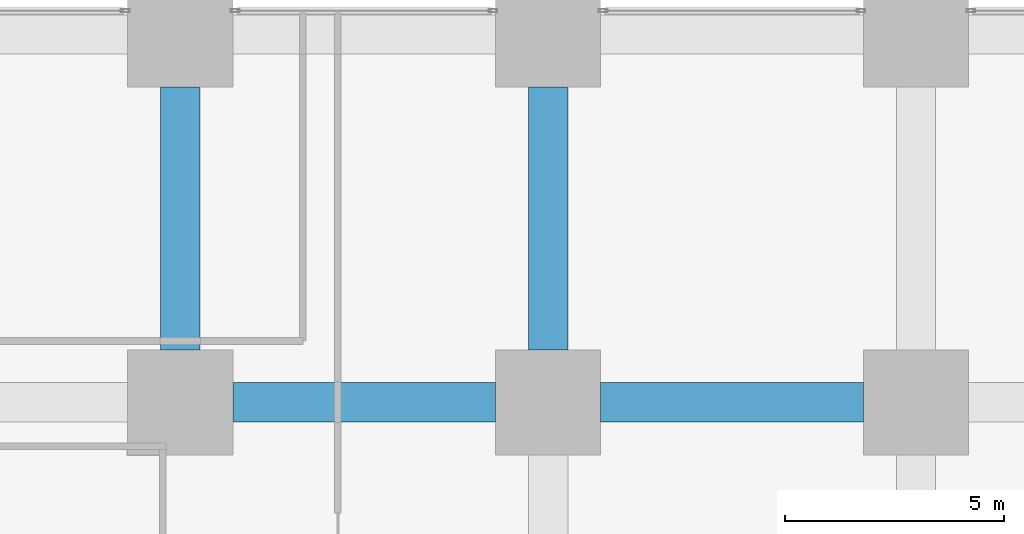
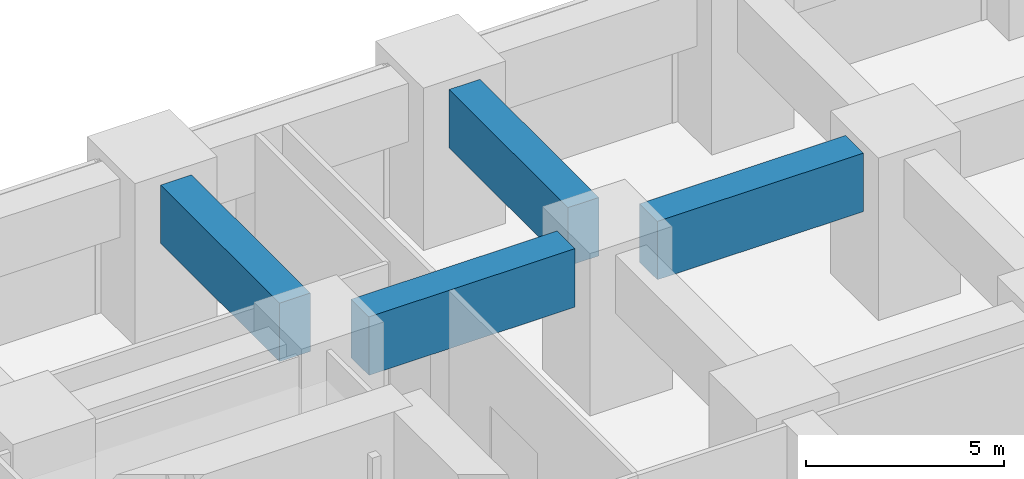
# One storey, part 28 of 49: 4 beams.
"""IFC4 building model written with IfcOpenShell, lengths in metres."""

from ifc_helpers import new_model, si_unit, direction, frame, origin, origin_2d, place, context, subcontext, project, spatial, rectangle, extrude, material, material_profile, profile_set, type_object, element, save


model = new_model("IFC4")

# Units and contexts
model_context = context("Model", 3, precision=1e-05, world=origin(), true_north=direction((0.0, 1.0)))
body_context = subcontext(model_context, "Body", "Model", "MODEL_VIEW")
ifc_project = project(units=[si_unit("LENGTHUNIT", "METRE"), si_unit("AREAUNIT", "SQUARE_METRE"), si_unit("VOLUMEUNIT", "CUBIC_METRE"), si_unit("PLANEANGLEUNIT", "RADIAN"), si_unit("MASSUNIT", "GRAM", prefix="KILO")], contexts=[model_context])

# Site, building, storey
site_placement = place(None, origin())
site = spatial("IfcSite", under=ifc_project, at=site_placement, CompositionType="ELEMENT")
building_placement = place(site_placement, origin())
building = spatial("IfcBuilding", under=site, at=building_placement, Name="Rekha Terrace Tower", CompositionType="ELEMENT")
storey_placement = place(building_placement, frame((0.0, 0.0, 10.39990234375)))
storey = spatial("IfcBuildingStorey", under=building, at=storey_placement, Name="L02", CompositionType="ELEMENT", Elevation=10.39990234375)

# Beams
ifc_material = material(Name="Concrete M60", Category="concrete")
ifc_material_profile = material_profile(ifc_material, rectangle(XDim=0.89990234375, YDim=1.800048828125, at=origin_2d()), Name="RC 900x1800")
ifc_profile_set = profile_set([ifc_material_profile], Name="Concrete M60")
beam_type = type_object("IfcBeamType", Name="G1 900x1800 podium floor beam", PredefinedType="BEAM", material=ifc_profile_set)
for number, where, z_axis, x_axis, name in (
    (1, (51.60009765625, 50.39990234375, 3.800048828125), (1.0, 0.0, 0.0), (0.0, 1.0, 0.0), "Beam G1 7G-8G under L03"),
    (2, (50.39990234375, 51.60009765625, 3.800048828125), (0.0, 1.0, 0.0), (-1.0, 0.0, 0.0), "Beam G1 7G-7H under L03"),
    (3, (60.0, 50.39990234375, 3.800048828125), (1.0, 0.0, 0.0), (0.0, 1.0, 0.0), "Beam G1 8G-9G under L03"),
    (4, (58.800048828125, 51.60009765625, 3.800048828125), (0.0, 1.0, 0.0), (-1.0, 0.0, 0.0), "Beam G1 8G-8H under L03"),
):
    element("IfcBeam", number, at=place(storey_placement, frame(where, z_axis=z_axis, x_axis=x_axis)), inside=storey, type_object=beam_type, Name=name, PredefinedType="BEAM", context=body_context, shape_type="SweptSolid", body=[
        extrude(rectangle(XDim=0.89990234375, YDim=1.800048828125, at=origin_2d()), origin(), (0.0, 0.0, 1.0), 6.0),
    ])

save(model, "model.ifc")
